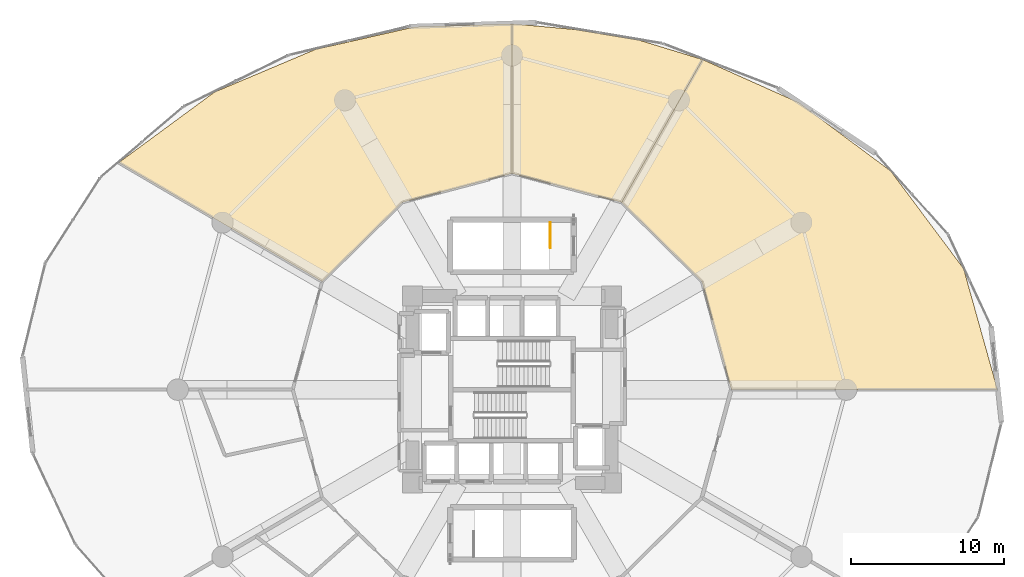
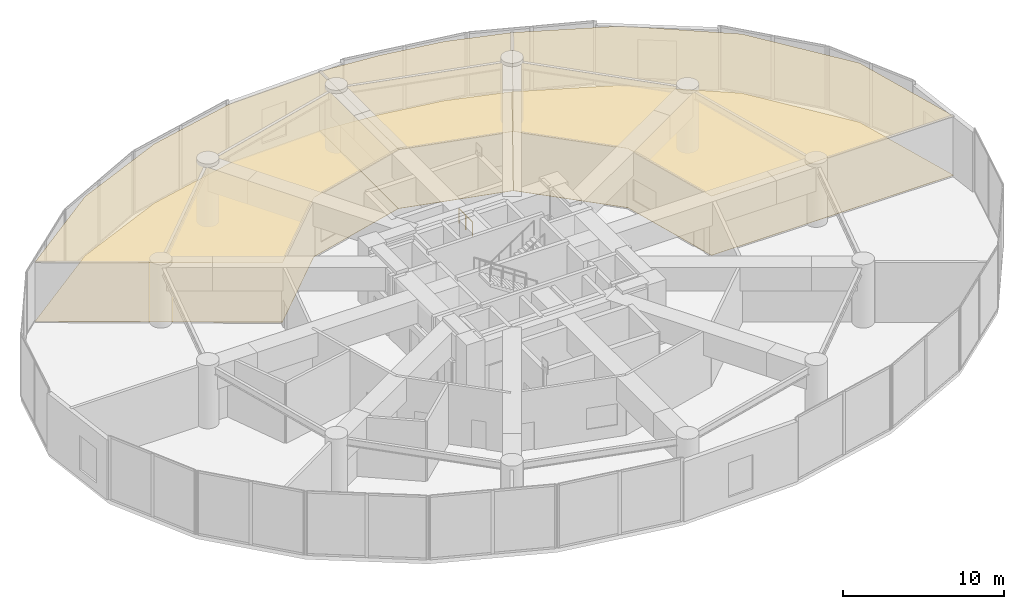
# One storey, part 27 of 27: 6 coverings, 1 railing.
"""IFC4 building model written with IfcOpenShell, lengths in metres."""

from ifc_helpers import new_model, si_unit, direction, frame, origin, origin_2d, place, context, subcontext, project, spatial, polyline, circle, outline, extrude, material, layer, layer_set, type_object, element, save


model = new_model("IFC4")

# Units and contexts
model_context = context("Model", 3, precision=1e-05, world=origin(), true_north=direction((0.0, 1.0)))
body_context = subcontext(model_context, "Body", "Model", "MODEL_VIEW")
ifc_project = project(units=[si_unit("LENGTHUNIT", "METRE"), si_unit("AREAUNIT", "SQUARE_METRE"), si_unit("VOLUMEUNIT", "CUBIC_METRE"), si_unit("PLANEANGLEUNIT", "RADIAN"), si_unit("MASSUNIT", "GRAM", prefix="KILO")], contexts=[model_context])

# Site, building, storey
site_placement = place(None, origin())
site = spatial("IfcSite", under=ifc_project, at=site_placement, CompositionType="ELEMENT")
building_placement = place(site_placement, origin())
building = spatial("IfcBuilding", under=site, at=building_placement, Name="Solvirekh Grand Hotel", CompositionType="ELEMENT")
storey_placement = place(building_placement, frame((0.0, 0.0, 23.60009765625)))
storey = spatial("IfcBuildingStorey", under=building, at=storey_placement, Name="L04", CompositionType="ELEMENT", Elevation=23.60009765625)

# Coverings
ifc_material_1 = material(Name="Acoustic Mineral Ceiling Tile")
ifc_layer_1 = layer(ifc_material_1, 0.02490234375)
ifc_layer_set_1 = layer_set([ifc_layer_1], Name="Acoustic Mineral Ceiling Tile")
covering_type_1 = type_object("IfcCoveringType", Name="Cov_Ceiling_Acoustic", PredefinedType="CEILING", material=ifc_layer_set_1)
covering_1_placement = place(storey_placement, frame((0.0, 0.0, 4.489990234375)))
element("IfcCovering", 1, at=covering_1_placement, inside=storey, type_object=covering_type_1, Name="L04 Thermal Wellness Spa & Hydrotherapy Pool Hall acoustic ceiling", PredefinedType="CEILING", context=body_context, shape_type="SweptSolid", body=[
    extrude(outline(polyline([(31.657958984375, 0.0), (29.451904296875, 7.89208984375), (24.697021484375, 14.259033203125), (18.7119140625, 18.7119140625), (12.427978515625, 21.52587890625), (7.14990234375, 12.2109375), (12.384033203125, 7.050048828125), (14.300048828125, 0.0), (31.657958984375, 0.0)])), origin(), (0.0, 0.0, 1.0), 0.017822265625),
])
covering_2_placement = place(storey_placement, frame((0.0, 0.0, 4.489990234375)))
element("IfcCovering", 2, at=covering_2_placement, inside=storey, type_object=covering_type_1, Name="L04 Vitality Spa Reception Salon acoustic ceiling", PredefinedType="CEILING", context=body_context, shape_type="SweptSolid", body=[
    extrude(outline(polyline([(12.427978515625, 21.52587890625), (8.294921875, 22.7900390625), (4.14111328125, 23.48291015625), (0.0, 23.85595703125), (0.0, 14.10009765625), (7.14990234375, 12.2109375), (12.427978515625, 21.52587890625)])), origin(), (0.0, 0.0, 1.0), 0.017822265625),
])
covering_3_placement = place(storey_placement, frame((0.0, 0.0, 4.489990234375)))
element("IfcCovering", 3, at=covering_3_placement, inside=storey, type_object=covering_type_1, Name="L04 Russian Banya & Steam Relaxation Lounge acoustic ceiling", PredefinedType="CEILING", context=body_context, shape_type="SweptSolid", body=[
    extrude(outline(polyline([(0.0, 23.85595703125), (-6.339111328125, 23.657958984375), (-12.81103515625, 22.18994140625), (-19.403076171875, 19.403076171875), (-25.64501953125, 14.805908203125), (-12.384033203125, 7.050048828125), (-7.14990234375, 12.2109375), (0.0, 14.10009765625), (0.0, 23.85595703125)])), origin(), (0.0, 0.0, 1.0), 0.017822265625),
])
ifc_material_2 = material(Name="Porcelain Stoneware Flooring", Category="masonry")
ifc_layer_2 = layer(ifc_material_2, 0.030029296875)
ifc_layer_set_2 = layer_set([ifc_layer_2], Name="Porcelain Stoneware Flooring")
covering_type_2 = type_object("IfcCoveringType", Name="Cov_Floor_Stone", PredefinedType="FLOORING", material=ifc_layer_set_2)
covering_4_placement = place(storey_placement, origin())
element("IfcCovering", 4, at=covering_4_placement, inside=storey, type_object=covering_type_2, Name="L04 Thermal Wellness Spa & Hydrotherapy Pool Hall polished granite flooring", PredefinedType="FLOORING", context=body_context, shape_type="SweptSolid", body=[
    extrude(outline(polyline([(31.657958984375, 0.0), (29.451904296875, 7.89208984375), (24.697021484375, 14.259033203125), (18.7119140625, 18.7119140625), (12.427978515625, 21.52587890625), (7.14990234375, 12.2109375), (12.384033203125, 7.050048828125), (14.300048828125, 0.0), (31.657958984375, 0.0)])), origin(), (0.0, 0.0, 1.0), 0.02001953125),
])
covering_5_placement = place(storey_placement, origin())
element("IfcCovering", 5, at=covering_5_placement, inside=storey, type_object=covering_type_2, Name="L04 Vitality Spa Reception Salon polished granite flooring", PredefinedType="FLOORING", context=body_context, shape_type="SweptSolid", body=[
    extrude(outline(polyline([(12.427978515625, 21.52587890625), (8.294921875, 22.7900390625), (4.14111328125, 23.48291015625), (0.0, 23.85595703125), (0.0, 14.10009765625), (7.14990234375, 12.2109375), (12.427978515625, 21.52587890625)])), origin(), (0.0, 0.0, 1.0), 0.02001953125),
])
covering_6_placement = place(storey_placement, origin())
element("IfcCovering", 6, at=covering_6_placement, inside=storey, type_object=covering_type_2, Name="L04 Russian Banya & Steam Relaxation Lounge polished granite flooring", PredefinedType="FLOORING", context=body_context, shape_type="SweptSolid", body=[
    extrude(outline(polyline([(0.0, 23.85595703125), (-6.339111328125, 23.657958984375), (-12.81103515625, 22.18994140625), (-19.403076171875, 19.403076171875), (-25.64501953125, 14.805908203125), (-12.384033203125, 7.050048828125), (-7.14990234375, 12.2109375), (0.0, 14.10009765625), (0.0, 23.85595703125)])), origin(), (0.0, 0.0, 1.0), 0.02001953125),
])

# Railing
ifc_material_3 = material(Name="Steel S355", Category="steel")
railing_type = type_object("IfcRailingType", Name="Guard_Stair_1100", PredefinedType="GUARDRAIL", material=ifc_material_3)
railing_placement = place(storey_placement, frame((2.5, 10.89990234375, 0.0)))
element("IfcRailing", 7, at=railing_placement, inside=storey, type_object=railing_type, Name="L04 ST-4 top well guard 1", PredefinedType="GUARDRAIL", context=body_context, shape_type="SweptSolid", body=[
    extrude(circle(Radius=0.02392578125, at=origin_2d()), frame((0.0, 0.0, 1.076171875), z_axis=(0.0, -1.0, 0.0), x_axis=(1.0, 0.0, 0.0)), (0.0, 0.0, 1.0), 1.64990234375),
    extrude(circle(Radius=0.02099609375, at=origin_2d()), origin(), (0.0, 0.0, 1.0), 1.052001953125),
    extrude(circle(Radius=0.02099609375, at=origin_2d()), frame((0.0, -0.824951171875, 0.0)), (0.0, 0.0, 1.0), 1.052001953125),
    extrude(circle(Radius=0.02099609375, at=origin_2d()), frame((0.0, -1.64990234375, 0.0)), (0.0, 0.0, 1.0), 1.052001953125),
])

save(model, "model.ifc")
